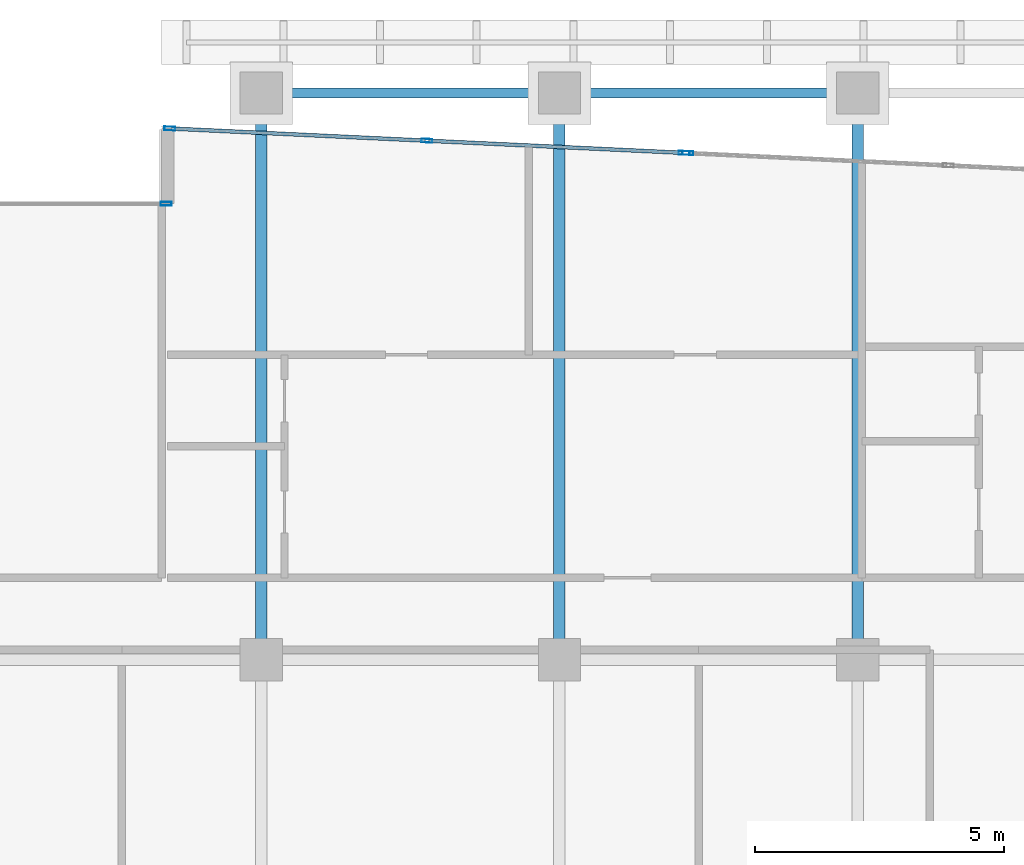
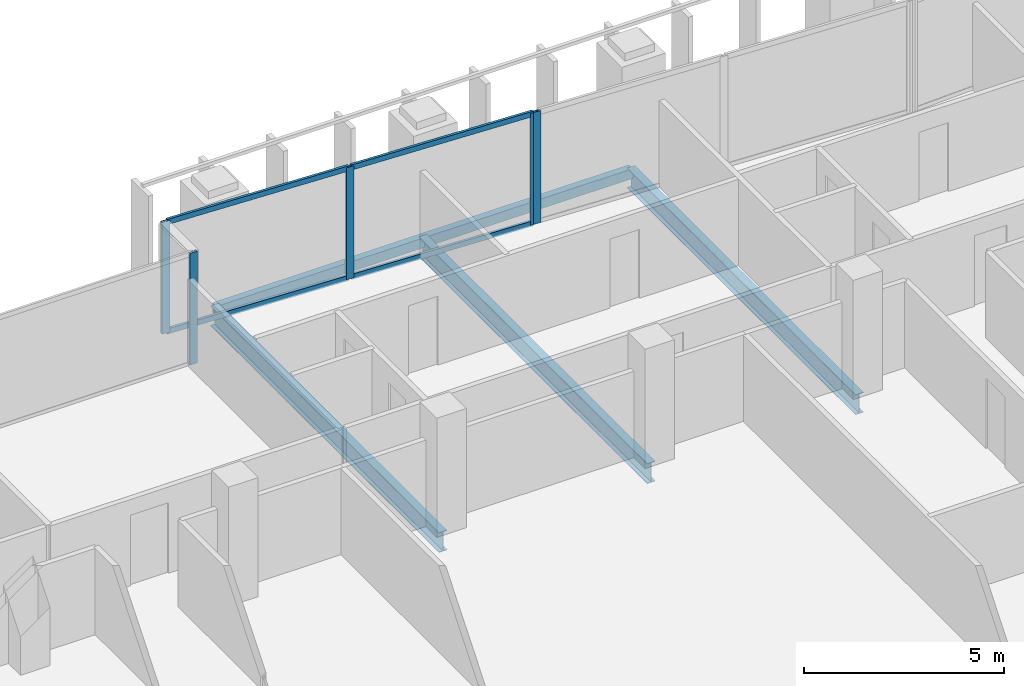
# One storey, part 12 of 29: 9 members, 5 beams, 3 elements without a shape of their own.
"""IFC4 building model written with IfcOpenShell, lengths in metres."""

from ifc_helpers import new_model, si_unit, direction, frame, origin, origin_2d, place, context, subcontext, project, spatial, hollow_rectangle, i_section, extrude, material, layer, layer_set, material_profile, profile_set, type_object, element, aggregate, save


model = new_model("IFC4")

# Units and contexts
model_context = context("Model", 3, precision=1e-05, world=origin(), true_north=direction((0.0, 1.0)))
body_context = subcontext(model_context, "Body", "Model", "MODEL_VIEW")
ifc_project = project(units=[si_unit("LENGTHUNIT", "METRE"), si_unit("AREAUNIT", "SQUARE_METRE"), si_unit("VOLUMEUNIT", "CUBIC_METRE"), si_unit("PLANEANGLEUNIT", "RADIAN"), si_unit("MASSUNIT", "GRAM", prefix="KILO")], contexts=[model_context])

# Site, building, storey
site_placement = place(None, origin())
site = spatial("IfcSite", under=ifc_project, at=site_placement, CompositionType="ELEMENT")
building_placement = place(site_placement, origin())
building = spatial("IfcBuilding", under=site, at=building_placement, Name="Tanjung Sevakor Pilgrim Tower", CompositionType="ELEMENT")
storey_placement = place(building_placement, frame((0.0, 0.0, 162.030029296875)))
storey = spatial("IfcBuildingStorey", under=building, at=storey_placement, Name="L45", CompositionType="ELEMENT", Elevation=162.030029296875)

# Beams
ifc_material_1 = material(Name="Steel S355J2", Category="steel")
ifc_material_profile_1 = material_profile(ifc_material_1, i_section(OverallWidth=0.22900390625, OverallDepth=0.6123046875, WebThickness=0.011962890625, FlangeThickness=0.01953125, FilletRadius=0.0126953125, at=origin_2d()))
ifc_profile_set_1 = profile_set([ifc_material_profile_1], Name="Steel S355J2")
beam_type_1 = type_object("IfcBeamType", Name="BM-B-G4-UB_610x229x125", PredefinedType="BEAM", material=ifc_profile_set_1)
for number, where, z_axis, x_axis, name in (
    (1, (54.0, 42.60009765625, -0.526123046875), (0.0, 1.0, 0.0), (-1.0, 0.0, 0.0), "L45 MAIN Girder 013"),
    (2, (60.0, 42.60009765625, -0.526123046875), (0.0, 1.0, 0.0), (-1.0, 0.0, 0.0), "L45 MAIN Girder 016"),
    (3, (66.0, 42.60009765625, -0.526123046875), (0.0, 1.0, 0.0), (-1.0, 0.0, 0.0), "L45 MAIN Girder 019"),
):
    element("IfcBeam", number, at=place(storey_placement, frame(where, z_axis=z_axis, x_axis=x_axis)), inside=storey, type_object=beam_type_1, Name=name, PredefinedType="BEAM", context=body_context, shape_type="SweptSolid", body=[
        extrude(i_section(OverallWidth=0.22900390625, OverallDepth=0.6123046875, WebThickness=0.011962890625, FlangeThickness=0.01953125, FilletRadius=0.0126953125, at=origin_2d()), origin(), (0.0, 0.0, 1.0), 11.39990234375),
    ])
ifc_material_2 = material(Name="Steel S355J2", Category="steel")
ifc_material_profile_2 = material_profile(ifc_material_2, hollow_rectangle(XDim=0.199951171875, YDim=0.300048828125, WallThickness=0.012451171875, at=origin_2d()))
ifc_profile_set_2 = profile_set([ifc_material_profile_2], Name="Steel S355J2")
beam_type_2 = type_object("IfcBeamType", Name="BM-B-SP3-RHS_300x200x12.5", PredefinedType="SPANDREL", material=ifc_profile_set_2)
for number, where, z_axis, x_axis, name in (
    (4, (54.0, 54.0, -0.3701171875), (1.0, 0.0, 0.0), (0.0, 1.0, 0.0), "L45 Spandrel MAIN N-08"),
    (5, (60.0, 54.0, -0.3701171875), (1.0, 0.0, 0.0), (0.0, 1.0, 0.0), "L45 Spandrel MAIN N-10"),
):
    element("IfcBeam", number, at=place(storey_placement, frame(where, z_axis=z_axis, x_axis=x_axis)), inside=storey, type_object=beam_type_2, Name=name, PredefinedType="SPANDREL", context=body_context, shape_type="SweptSolid", body=[
        extrude(hollow_rectangle(XDim=0.199951171875, YDim=0.300048828125, WallThickness=0.012451171875, at=origin_2d()), origin(), (0.0, 0.0, 1.0), 6.0),
    ])

# Curtain wall, member
ifc_material_3 = material(Name="Aluminium 6063-T6 and Low-E Glass", Category="aluminium")
ifc_layer_1 = layer(ifc_material_3, 0.199951171875)
ifc_layer_set_1 = layer_set([ifc_layer_1], Name="CW-SYS-PRAY")
curtain_wall_type_1 = type_object("IfcCurtainWallType", Name="CW-SYS-PRAY", PredefinedType="NOTDEFINED", material=ifc_layer_set_1)
curtain_wall_1_placement = place(storey_placement, origin())
curtain_wall_1 = element("IfcCurtainWall", 6, at=curtain_wall_1_placement, inside=storey, type_object=curtain_wall_type_1, Name="L45 Curtain Wall CW-PRY-L45-22", PredefinedType="NOTDEFINED")
ifc_material_4 = material(Name="Aluminium 6063-T6", Category="aluminium")
ifc_material_profile_3 = material_profile(ifc_material_4, hollow_rectangle(XDim=0.074951171875, YDim=0.219970703125, WallThickness=0.0048828125, at=origin_2d()))
ifc_profile_set_3 = profile_set([ifc_material_profile_3], Name="Aluminium 6063-T6")
member_type_1 = type_object("IfcMemberType", Name="TYPE-CWM-2", PredefinedType="MULLION", material=ifc_profile_set_3)
member_1_placement = place(storey_placement, frame((62.58154296875, 52.793212890625, 0.0), z_axis=(0.0, 0.0, 1.0), x_axis=(-0.04733271113, -0.998879179109, 0.0)))
member_1 = element("IfcMember", 7, at=member_1_placement, type_object=member_type_1, Name="CW-PRY mullion 3", PredefinedType="MULLION", context=body_context, shape_type="SweptSolid", body=[
    extrude(hollow_rectangle(XDim=0.074951171875, YDim=0.219970703125, WallThickness=0.0048828125, at=origin_2d()), origin(), (0.0, 0.0, 1.0), 3.409912109375),
])
aggregate(curtain_wall_1, [member_1])

# Curtain wall, members
curtain_wall_2_placement = place(storey_placement, origin())
curtain_wall_2 = element("IfcCurtainWall", 8, at=curtain_wall_2_placement, inside=storey, type_object=curtain_wall_type_1, Name="L45 Curtain Wall CW-PRY-L45-23", PredefinedType="NOTDEFINED")
member_2_placement = place(storey_placement, frame((62.506591796875, 52.796875, 0.0), z_axis=(0.0, 0.0, 1.0), x_axis=(-0.047340591245, -0.998878805672, 0.0)))
member_2 = element("IfcMember", 9, at=member_2_placement, type_object=member_type_1, Name="CW-PRY mullion 1", PredefinedType="MULLION", context=body_context, shape_type="SweptSolid", body=[
    extrude(hollow_rectangle(XDim=0.074951171875, YDim=0.219970703125, WallThickness=0.0048828125, at=origin_2d()), origin(), (0.0, 0.0, 1.0), 3.409912109375),
])
member_3_placement = place(storey_placement, frame((57.33447265625, 53.0419921875, 0.0), z_axis=(0.0, 0.0, 1.0), x_axis=(-0.047340591245, -0.998878805672, 0.0)))
member_3 = element("IfcMember", 10, at=member_3_placement, type_object=member_type_1, Name="CW-PRY mullion 2", PredefinedType="MULLION", context=body_context, shape_type="SweptSolid", body=[
    extrude(hollow_rectangle(XDim=0.074951171875, YDim=0.219970703125, WallThickness=0.0048828125, at=origin_2d()), origin(), (0.0, 0.0, 1.0), 3.409912109375),
])
member_4_placement = place(storey_placement, frame((52.162353515625, 53.287109375, 0.0), z_axis=(0.0, 0.0, 1.0), x_axis=(-0.047340591245, -0.998878805672, 0.0)))
member_4 = element("IfcMember", 11, at=member_4_placement, type_object=member_type_1, Name="CW-PRY mullion 3", PredefinedType="MULLION", context=body_context, shape_type="SweptSolid", body=[
    extrude(hollow_rectangle(XDim=0.074951171875, YDim=0.219970703125, WallThickness=0.0048828125, at=origin_2d()), origin(), (0.0, 0.0, 1.0), 3.409912109375),
])

# Curtain wall, member
ifc_material_5 = material(Name="Aluminium 6063-T6 and Low-E Glass", Category="aluminium")
ifc_layer_2 = layer(ifc_material_5, 0.179931640625)
ifc_layer_set_2 = layer_set([ifc_layer_2], Name="CW-SYS-CLEFT")
curtain_wall_type_2 = type_object("IfcCurtainWallType", Name="CW-SYS-CLEFT", PredefinedType="NOTDEFINED", material=ifc_layer_set_2)
curtain_wall_3_placement = place(storey_placement, origin())
curtain_wall_3 = element("IfcCurtainWall", 12, at=curtain_wall_3_placement, inside=storey, type_object=curtain_wall_type_2, Name="L45 Curtain Wall CW-CLF-L45-25", PredefinedType="NOTDEFINED")
member_5_placement = place(storey_placement, frame((52.08740234375, 51.77490234375, 0.0), z_axis=(0.0, 0.0, 1.0), x_axis=(0.0, -1.0, 0.0)))
member_5 = element("IfcMember", 13, at=member_5_placement, type_object=member_type_1, Name="CW-CLF mullion 1", PredefinedType="MULLION", context=body_context, shape_type="SweptSolid", body=[
    extrude(hollow_rectangle(XDim=0.074951171875, YDim=0.219970703125, WallThickness=0.0048828125, at=origin_2d()), origin(), (0.0, 0.0, 1.0), 3.409912109375),
])
aggregate(curtain_wall_3, [member_5])

# Member
ifc_material_6 = material(Name="Aluminium 6063-T6", Category="aluminium")
ifc_material_profile_4 = material_profile(ifc_material_6, hollow_rectangle(XDim=0.074951171875, YDim=0.159912109375, WallThickness=0.00439453125, at=origin_2d()))
ifc_profile_set_4 = profile_set([ifc_material_profile_4], Name="Aluminium 6063-T6")
member_type_2 = type_object("IfcMemberType", Name="TYPE-CWT-2", PredefinedType="USERDEFINED", material=ifc_profile_set_4)
member_6_placement = place(storey_placement, frame((62.46923828125, 52.798583984375, 0.037353515625), z_axis=(-0.998877643108, 0.047365114794, 0.0), x_axis=(-0.047365114794, -0.998877643108, 0.0)))
member_6 = element("IfcMember", 14, at=member_6_placement, type_object=member_type_2, Name="CW-PRY transom 1.1", ObjectType="TRANSOM", PredefinedType="USERDEFINED", context=body_context, shape_type="SweptSolid", body=[
    extrude(hollow_rectangle(XDim=0.074951171875, YDim=0.159912109375, WallThickness=0.00439453125, at=origin_2d()), origin(), (0.0, 0.0, 1.0), 5.102783203125),
])

member_7_placement = place(storey_placement, frame((62.46923828125, 52.798583984375, 3.37255859375), z_axis=(-0.998877643108, 0.047365114794, 0.0), x_axis=(-0.047365114794, -0.998877643108, 0.0)))
member_7 = element("IfcMember", 15, at=member_7_placement, type_object=member_type_2, Name="CW-PRY transom 1.2", ObjectType="TRANSOM", PredefinedType="USERDEFINED", context=body_context, shape_type="SweptSolid", body=[
    extrude(hollow_rectangle(XDim=0.074951171875, YDim=0.159912109375, WallThickness=0.00439453125, at=origin_2d()), origin(), (0.0, 0.0, 1.0), 5.102783203125),
])

member_8_placement = place(storey_placement, frame((57.297119140625, 53.043701171875, 0.037353515625), z_axis=(-0.998877643108, 0.047365114794, 0.0), x_axis=(-0.047365114794, -0.998877643108, 0.0)))
member_8 = element("IfcMember", 16, at=member_8_placement, type_object=member_type_2, Name="CW-PRY transom 2.1", ObjectType="TRANSOM", PredefinedType="USERDEFINED", context=body_context, shape_type="SweptSolid", body=[
    extrude(hollow_rectangle(XDim=0.074951171875, YDim=0.159912109375, WallThickness=0.00439453125, at=origin_2d()), origin(), (0.0, 0.0, 1.0), 5.102783203125),
])

member_9_placement = place(storey_placement, frame((57.297119140625, 53.043701171875, 3.37255859375), z_axis=(-0.998877643108, 0.047365114794, 0.0), x_axis=(-0.047365114794, -0.998877643108, 0.0)))
member_9 = element("IfcMember", 17, at=member_9_placement, type_object=member_type_2, Name="CW-PRY transom 2.2", ObjectType="TRANSOM", PredefinedType="USERDEFINED", context=body_context, shape_type="SweptSolid", body=[
    extrude(hollow_rectangle(XDim=0.074951171875, YDim=0.159912109375, WallThickness=0.00439453125, at=origin_2d()), origin(), (0.0, 0.0, 1.0), 5.102783203125),
])

aggregate(curtain_wall_2, [member_2, member_3, member_4, member_6, member_7, member_8, member_9])

save(model, "model.ifc")
